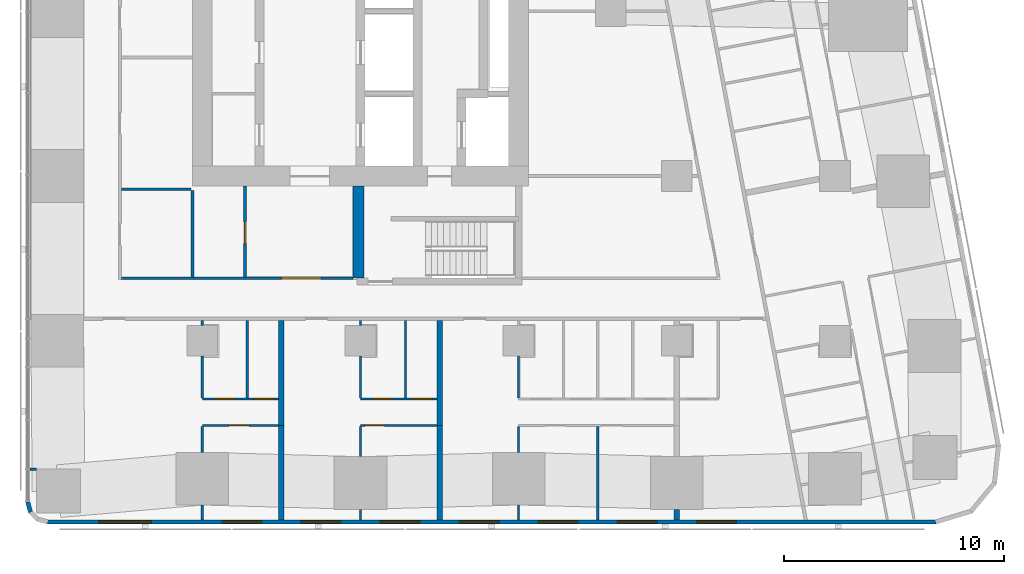
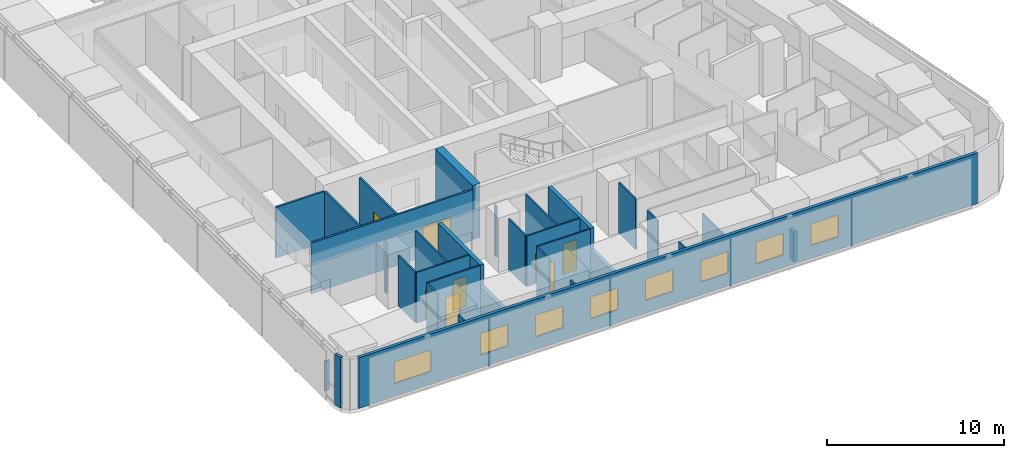
# One storey, part 7 of 17: 31 walls, 8 doors, 8 windows, 16 openings.
"""IFC4 building model written with IfcOpenShell, lengths in metres."""

import ifcopenshell
import ifcopenshell.guid

model = None  # the IFC model being written
_history = None  # IfcOwnerHistory: only IFC2X3 demands one
_inside = {}  # id of a spatial element -> (the spatial element, [elements in it])
_under = {}  # id of a project, library or spatial element -> (it, [spatial elements below it])
_declared = {}  # id of a project -> (the project, [libraries it declares])
_typed = {}  # id of a type object -> (the type object, [elements of that type])
_made_of = {}  # id of a material, layer set ... -> (it, [elements and type objects made of it])


def new_model(schema):
    """Start an empty IFC model of exactly this schema.

    Asked for "IFC4X3", IfcOpenShell would pick the latest addendum, in which some entities
    have other attributes; the version numbers below select the first issue.
    IFC2X3 requires an IfcOwnerHistory on every rooted entity: one is made here for all.
    """
    global model, _history
    if schema == "IFC4X3":
        model = ifcopenshell.file(schema_version=(4, 3, 0, 0))
    else:
        model = ifcopenshell.file(schema=schema)
    _inside.clear()
    _under.clear()
    _declared.clear()
    _typed.clear()
    _made_of.clear()
    _history = None
    if model.schema == "IFC2X3":
        org = make("IfcOrganization", Name="unknown")
        user = make(
            "IfcPersonAndOrganization",
            ThePerson=make("IfcPerson", FamilyName="unknown"),
            TheOrganization=org,
        )
        app = make(
            "IfcApplication",
            ApplicationDeveloper=org,
            Version="unknown",
            ApplicationFullName="unknown",
            ApplicationIdentifier="unknown",
        )
        _history = make(
            "IfcOwnerHistory",
            OwningUser=user,
            OwningApplication=app,
            ChangeAction="ADDED",
            CreationDate=0,
        )
    return model


def make(cls, **values):
    """One entity of the class cls with the attributes given. An attribute that is None is left unset."""
    return model.create_entity(
        cls, **{name: value for name, value in values.items() if value is not None}
    )


def rooted(cls, **values):
    """An entity with a GlobalId (a new one), such as an element, a storey or a relation."""
    return make(cls, GlobalId=ifcopenshell.guid.new(), OwnerHistory=_history, **values)


def si_unit(unit_type, name, prefix=None):
    """IfcSIUnit, for example si_unit("LENGTHUNIT", "METRE", prefix="MILLI")."""
    return make("IfcSIUnit", UnitType=unit_type, Prefix=prefix, Name=name)


def assignment(units):
    """IfcUnitAssignment: the units of a project."""
    return None if units is None else make("IfcUnitAssignment", Units=units)


def point(xyz):
    """IfcCartesianPoint."""
    return None if xyz is None else make("IfcCartesianPoint", Coordinates=xyz)


def direction(xyz):
    """IfcDirection."""
    return None if xyz is None else make("IfcDirection", DirectionRatios=xyz)


def frame(location, z_axis=None, x_axis=None):
    """IfcAxis2Placement3D, a coordinate frame: its origin and axes. An axis left out is left unset."""
    return make(
        "IfcAxis2Placement3D",
        Location=point(location),
        Axis=direction(z_axis),
        RefDirection=direction(x_axis),
    )


def frame_2d(location, x_axis=None):
    """IfcAxis2Placement2D, a coordinate frame in the plane: its origin and x axis."""
    return make(
        "IfcAxis2Placement2D", Location=point(location), RefDirection=direction(x_axis)
    )


def origin():
    """The frame at (0, 0, 0) with its axes left unset."""
    return frame((0.0, 0.0, 0.0))


def place(relative_to, where):
    """IfcLocalPlacement: puts the frame where relative to a parent placement (None: the world)."""
    return make(
        "IfcLocalPlacement", PlacementRelTo=relative_to, RelativePlacement=where
    )


def context(
    kind, dimensions, precision=None, world=None, true_north=None, identifier=None
):
    """IfcGeometricRepresentationContext, for example the 3D "Model" context."""
    return make(
        "IfcGeometricRepresentationContext",
        ContextIdentifier=identifier,
        ContextType=kind,
        CoordinateSpaceDimension=dimensions,
        Precision=precision,
        WorldCoordinateSystem=world,
        TrueNorth=true_north,
    )


def subcontext(parent, identifier, kind, view, scale=None):
    """IfcGeometricRepresentationSubContext, for example "Body" below "Model"."""
    return make(
        "IfcGeometricRepresentationSubContext",
        ContextIdentifier=identifier,
        ContextType=kind,
        ParentContext=parent,
        TargetScale=scale,
        TargetView=view,
    )


def project(units=None, contexts=None):
    """IfcProject with its units and contexts."""
    return rooted(
        "IfcProject",
        Name="project",
        RepresentationContexts=contexts,
        UnitsInContext=assignment(units),
    )


def spatial(cls, under=None, at=None, **own):
    """A site, building, storey or space (cls), placed at a placement, below another one or the project."""
    s = rooted(cls, ObjectPlacement=at, **own)
    if under is not None:
        _under.setdefault(under.id(), (under, []))[1].append(s)
    return s


def profile(cls, at=None, kind="AREA", **sizes):
    """A parametric profile (cls). Its sizes go by their IFC names, for example OverallWidth=200.0."""
    return make(cls, ProfileType=kind, Position=at, **sizes)


def rectangle(**sizes):
    """IfcRectangleProfileDef."""
    return profile("IfcRectangleProfileDef", **sizes)


def extrude(swept, where, along, depth):
    """IfcExtrudedAreaSolid: the profile swept, set in the frame where, extruded along a direction by depth."""
    return make(
        "IfcExtrudedAreaSolid",
        SweptArea=swept,
        Position=where,
        ExtrudedDirection=direction(along),
        Depth=depth,
    )


def shape(context_of_items, identifier, shape_type, items):
    """IfcShapeRepresentation: the items that make up one representation, for example the "Body"."""
    return make(
        "IfcShapeRepresentation",
        ContextOfItems=context_of_items,
        RepresentationIdentifier=identifier,
        RepresentationType=shape_type,
        Items=items,
    )


def material(Name=None, Category=None):
    """IfcMaterial."""
    return make("IfcMaterial", Name=Name, Category=Category)


def layer(
    of_material, thickness, ventilated=None, Name=None, Category=None, Priority=None
):
    """IfcMaterialLayer: one layer of a wall or slab, of a material (None: an air gap)."""
    return make(
        "IfcMaterialLayer",
        Material=of_material,
        LayerThickness=thickness,
        IsVentilated=ventilated,
        Name=Name,
        Category=Category,
        Priority=Priority,
    )


def layer_set(layers, Name=None):
    """IfcMaterialLayerSet."""
    return make("IfcMaterialLayerSet", MaterialLayers=layers, LayerSetName=Name)


def made_of(thing, what):
    """Note that an element or type object is made of a material, layer set ...; save() writes the relation."""
    if what is not None:
        _made_of.setdefault(what.id(), (what, []))[1].append(thing)
    return thing


def type_object(cls, material=None, **own):
    """A type object (cls), such as IfcWallType, which elements share."""
    return made_of(rooted(cls, **own), material)


def element(
    cls,
    number,
    at=None,
    inside=None,
    cuts=None,
    type_object=None,
    material=None,
    context=None,
    identifier="Body",
    shape_type=None,
    held_by="IfcProductDefinitionShape",
    body=None,
    shapes=None,
    **own,
):
    """One element of the class cls, such as IfcWall. Its Tag is "e" and its number.

    at: its placement. inside: the storey or other place that contains it. cuts: it is an
    opening in that element (IfcRelVoidsElement). A single representation is given by context,
    identifier, shape_type and body (its items); several are given by shapes. held_by: the class
    of the entity that holds the representations. save() writes the other relations.
    """
    e = rooted(cls, Tag="e%d" % number, ObjectPlacement=at, **own)
    if body is not None:
        shapes = [shape(context, identifier, shape_type, body)]
    if shapes is not None:
        e.Representation = make(held_by, Representations=shapes)
    if inside is not None:
        _inside.setdefault(inside.id(), (inside, []))[1].append(e)
    if cuts is not None:
        rooted(
            "IfcRelVoidsElement", RelatingBuildingElement=cuts, RelatedOpeningElement=e
        )
    if type_object is not None:
        _typed.setdefault(type_object.id(), (type_object, []))[1].append(e)
    return made_of(e, material)


def fill(opening, filler):
    """IfcRelFillsElement: the door or window that sits in an opening."""
    return rooted(
        "IfcRelFillsElement",
        RelatingOpeningElement=opening,
        RelatedBuildingElement=filler,
    )


def aggregate(whole, parts):
    """IfcRelAggregates: a whole, such as a stair, and the parts it consists of."""
    return rooted("IfcRelAggregates", RelatingObject=whole, RelatedObjects=parts)


def save(model, path):
    """Write the relations noted so far, then the file.

    IfcRelAggregates (storeys below a building ...), IfcRelContainedInSpatialStructure (elements
    in a storey), IfcRelDefinesByType, IfcRelAssociatesMaterial and IfcRelDeclares: one each for
    every whole, place, type object, material and project.
    """
    for whole, parts in _under.values():
        aggregate(whole, parts)
    for where, things in _inside.values():
        rooted(
            "IfcRelContainedInSpatialStructure",
            RelatedElements=things,
            RelatingStructure=where,
        )
    for kind, things in _typed.values():
        rooted("IfcRelDefinesByType", RelatedObjects=things, RelatingType=kind)
    for what, things in _made_of.values():
        rooted("IfcRelAssociatesMaterial", RelatedObjects=things, RelatingMaterial=what)
    for by, libraries in _declared.values():
        rooted("IfcRelDeclares", RelatingContext=by, RelatedDefinitions=libraries)
    model.write(path)


model = new_model("IFC4")

# Units and contexts
model_context = context("Model", 3, precision=1e-05, world=origin(), true_north=direction((0.0, 1.0)))
body_context = subcontext(model_context, "Body", "Model", "MODEL_VIEW")
ifc_project = project(units=[si_unit("LENGTHUNIT", "METRE"), si_unit("AREAUNIT", "SQUARE_METRE"), si_unit("VOLUMEUNIT", "CUBIC_METRE"), si_unit("PLANEANGLEUNIT", "RADIAN"), si_unit("MASSUNIT", "GRAM", prefix="KILO")], contexts=[model_context])

# Site, building, storey
site_placement = place(None, origin())
site = spatial("IfcSite", under=ifc_project, at=site_placement, CompositionType="ELEMENT")
building_placement = place(site_placement, origin())
building = spatial("IfcBuilding", under=site, at=building_placement, Name="Sheger Commons Tower", CompositionType="ELEMENT")
storey_placement = place(building_placement, frame((0.0, 0.0, 204.949951171875)))
storey = spatial("IfcBuildingStorey", under=building, at=storey_placement, Name="L52", CompositionType="ELEMENT", Elevation=204.949951171875)

# Walls
ifc_material_1 = material(Name="Dense concrete block masonry, plastered both sides (separating wall between flats)", Category="masonry")
ifc_layer_1 = layer(ifc_material_1, 0.25)
ifc_layer_set_1 = layer_set([ifc_layer_1], Name="DEMISING WALL 250")
wall_type_1 = type_object("IfcWallType", Name="DEMISING WALL 250", PredefinedType="SOLIDWALL", material=ifc_layer_set_1)
wall_1_placement = place(storey_placement, frame((18.0, -0.64990234375, 0.0), z_axis=(0.0, 0.0, 1.0), x_axis=(0.0, 1.0, 0.0)))
element("IfcWall", 1, at=wall_1_placement, inside=storey, type_object=wall_type_1, Name="Demising wall L52", PredefinedType="SOLIDWALL", context=body_context, shape_type="SweptSolid", body=[
    extrude(rectangle(XDim=4.2998046875, YDim=0.25, at=frame_2d((2.14990234375, 0.0))), origin(), (0.0, 0.0, 1.0), 2.050048828125),
])
wall_2_placement = place(storey_placement, frame((18.0, 3.64990234375, 0.0), z_axis=(0.0, 0.0, 1.0), x_axis=(0.0, 1.0, 0.0)))
element("IfcWall", 2, at=wall_2_placement, inside=storey, type_object=wall_type_1, Name="Demising wall L52", PredefinedType="SOLIDWALL", context=body_context, shape_type="SweptSolid", body=[
    extrude(rectangle(XDim=4.775146484375, YDim=0.25, at=frame_2d((2.3876953125, 0.0))), origin(), (0.0, 0.0, 1.0), 3.5),
])
wall_3_placement = place(storey_placement, frame((25.199951171875, -0.64990234375, 0.0), z_axis=(0.0, 0.0, 1.0), x_axis=(0.0, 1.0, 0.0)))
element("IfcWall", 3, at=wall_3_placement, inside=storey, type_object=wall_type_1, Name="Demising wall L52", PredefinedType="SOLIDWALL", context=body_context, shape_type="SweptSolid", body=[
    extrude(rectangle(XDim=4.2998046875, YDim=0.25, at=frame_2d((2.14990234375, 0.0))), origin(), (0.0, 0.0, 1.0), 2.050048828125),
])
wall_4_placement = place(storey_placement, frame((25.199951171875, 3.64990234375, 0.0), z_axis=(0.0, 0.0, 1.0), x_axis=(0.0, 1.0, 0.0)))
element("IfcWall", 4, at=wall_4_placement, inside=storey, type_object=wall_type_1, Name="Demising wall L52", PredefinedType="SOLIDWALL", context=body_context, shape_type="SweptSolid", body=[
    extrude(rectangle(XDim=4.775146484375, YDim=0.25, at=frame_2d((2.3876953125, 0.0))), origin(), (0.0, 0.0, 1.0), 3.5),
])
wall_5_placement = place(storey_placement, frame((36.0, -0.64990234375, 0.0), z_axis=(0.0, 0.0, 1.0), x_axis=(0.0, 1.0, 0.0)))
element("IfcWall", 5, at=wall_5_placement, inside=storey, type_object=wall_type_1, Name="Demising wall L52", PredefinedType="SOLIDWALL", context=body_context, shape_type="SweptSolid", body=[
    extrude(rectangle(XDim=0.473876953125, YDim=0.25, at=frame_2d((0.23681640625, 0.0))), origin(), (0.0, 0.0, 1.0), 2.050048828125),
])

# Wall, openings, windows
ifc_material_2 = material(Name="Rendered concrete block masonry, dark grey", Category="masonry")
ifc_layer_2 = layer(ifc_material_2, 0.199951171875)
ifc_layer_set_2 = layer_set([ifc_layer_2], Name="FACADE WALL 200")
wall_type_2 = type_object("IfcWallType", Name="FACADE WALL 200", PredefinedType="SOLIDWALL", material=ifc_layer_set_2)
wall_6_placement = place(storey_placement, frame((7.363037109375, -0.75, 0.0), z_axis=(0.0, 0.0, 1.0), x_axis=(1.0, 0.0, 0.0)))
wall_6 = element("IfcWall", 6, at=wall_6_placement, inside=storey, type_object=wall_type_2, Name="Facade wall L52", PredefinedType="SOLIDWALL", context=body_context, shape_type="SweptSolid", body=[
    extrude(rectangle(XDim=40.427978515625, YDim=0.199951171875, at=frame_2d((20.2138671875, 0.0))), origin(), (0.0, 0.0, 1.0), 3.5),
])
opening_1_placement = place(wall_6_placement, frame((2.319091796875, 0.0, 0.89990234375)))
opening_1 = element("IfcOpeningElement", 7, at=opening_1_placement, cuts=wall_6, Name="Opening W1", PredefinedType="OPENING", context=body_context, shape_type="SweptSolid", body=[
    extrude(rectangle(XDim=2.39990234375, YDim=1.5, at=frame_2d((1.199951171875, 0.75))), frame((0.0, 0.10986328125, 0.0), z_axis=(0.0, -1.0, 0.0), x_axis=(1.0, 0.0, 0.0)), (0.0, 0.0, 1.0), 0.219970703125),
])
opening_2_placement = place(wall_6_placement, frame((7.93701171875, 0.0, 0.89990234375)))
opening_2 = element("IfcOpeningElement", 8, at=opening_2_placement, cuts=wall_6, Name="Opening W2", PredefinedType="OPENING", context=body_context, shape_type="SweptSolid", body=[
    extrude(rectangle(XDim=1.800048828125, YDim=1.5, at=frame_2d((0.89990234375, 0.75))), frame((0.0, 0.10986328125, 0.0), z_axis=(0.0, -1.0, 0.0), x_axis=(1.0, 0.0, 0.0)), (0.0, 0.0, 1.0), 0.219970703125),
])
opening_3_placement = place(wall_6_placement, frame((11.537109375, 0.0, 0.89990234375)))
opening_3 = element("IfcOpeningElement", 9, at=opening_3_placement, cuts=wall_6, Name="Opening W2", PredefinedType="OPENING", context=body_context, shape_type="SweptSolid", body=[
    extrude(rectangle(XDim=1.800048828125, YDim=1.5, at=frame_2d((0.89990234375, 0.75))), frame((0.0, 0.10986328125, 0.0), z_axis=(0.0, -1.0, 0.0), x_axis=(1.0, 0.0, 0.0)), (0.0, 0.0, 1.0), 0.219970703125),
])
opening_4_placement = place(wall_6_placement, frame((15.136962890625, 0.0, 0.89990234375)))
opening_4 = element("IfcOpeningElement", 10, at=opening_4_placement, cuts=wall_6, Name="Opening W2", PredefinedType="OPENING", context=body_context, shape_type="SweptSolid", body=[
    extrude(rectangle(XDim=1.800048828125, YDim=1.5, at=frame_2d((0.89990234375, 0.75))), frame((0.0, 0.10986328125, 0.0), z_axis=(0.0, -1.0, 0.0), x_axis=(1.0, 0.0, 0.0)), (0.0, 0.0, 1.0), 0.219970703125),
])
opening_5_placement = place(wall_6_placement, frame((18.737060546875, 0.0, 0.89990234375)))
opening_5 = element("IfcOpeningElement", 11, at=opening_5_placement, cuts=wall_6, Name="Opening W2", PredefinedType="OPENING", context=body_context, shape_type="SweptSolid", body=[
    extrude(rectangle(XDim=1.800048828125, YDim=1.5, at=frame_2d((0.89990234375, 0.75))), frame((0.0, 0.10986328125, 0.0), z_axis=(0.0, -1.0, 0.0), x_axis=(1.0, 0.0, 0.0)), (0.0, 0.0, 1.0), 0.219970703125),
])
opening_6_placement = place(wall_6_placement, frame((22.3369140625, 0.0, 0.89990234375)))
opening_6 = element("IfcOpeningElement", 12, at=opening_6_placement, cuts=wall_6, Name="Opening W2", PredefinedType="OPENING", context=body_context, shape_type="SweptSolid", body=[
    extrude(rectangle(XDim=1.800048828125, YDim=1.5, at=frame_2d((0.89990234375, 0.75))), frame((0.0, 0.10986328125, 0.0), z_axis=(0.0, -1.0, 0.0), x_axis=(1.0, 0.0, 0.0)), (0.0, 0.0, 1.0), 0.219970703125),
])
opening_7_placement = place(wall_6_placement, frame((25.93701171875, 0.0, 0.89990234375)))
opening_7 = element("IfcOpeningElement", 13, at=opening_7_placement, cuts=wall_6, Name="Opening W2", PredefinedType="OPENING", context=body_context, shape_type="SweptSolid", body=[
    extrude(rectangle(XDim=1.800048828125, YDim=1.5, at=frame_2d((0.89990234375, 0.75))), frame((0.0, 0.10986328125, 0.0), z_axis=(0.0, -1.0, 0.0), x_axis=(1.0, 0.0, 0.0)), (0.0, 0.0, 1.0), 0.219970703125),
])
opening_8_placement = place(wall_6_placement, frame((29.537109375, 0.0, 0.89990234375)))
opening_8 = element("IfcOpeningElement", 14, at=opening_8_placement, cuts=wall_6, Name="Opening W2", PredefinedType="OPENING", context=body_context, shape_type="SweptSolid", body=[
    extrude(rectangle(XDim=1.800048828125, YDim=1.5, at=frame_2d((0.89990234375, 0.75))), frame((0.0, 0.10986328125, 0.0), z_axis=(0.0, -1.0, 0.0), x_axis=(1.0, 0.0, 0.0)), (0.0, 0.0, 1.0), 0.219970703125),
])
ifc_material_3 = material(Name="Black aluminium frame, dark tinted double glazing", Category="aluminium")
window_type_1 = type_object("IfcWindowType", Name="WINDOW W1 2400x1500", PartitioningType="SINGLE_PANEL", PredefinedType="WINDOW", material=ifc_material_3)
window_1_placement = place(opening_1_placement, origin())
window_1 = element("IfcWindow", 15, at=window_1_placement, inside=storey, type_object=window_type_1, Name="Window W1 2400X1500", OverallHeight=1.5, OverallWidth=2.39990234375, PartitioningType="SINGLE_PANEL", PredefinedType="WINDOW", context=body_context, shape_type="SweptSolid", body=[
    extrude(rectangle(XDim=2.39990234375, YDim=1.5, at=frame_2d((1.199951171875, 0.75))), frame((0.0, 0.030029296875, 0.0), z_axis=(0.0, -1.0, 0.0), x_axis=(1.0, 0.0, 0.0)), (0.0, 0.0, 1.0), 0.06005859375),
])
fill(opening_1, window_1)
ifc_material_4 = material(Name="Black aluminium frame, dark tinted double glazing", Category="aluminium")
window_type_2 = type_object("IfcWindowType", Name="WINDOW W2 1800x1500", PartitioningType="SINGLE_PANEL", PredefinedType="WINDOW", material=ifc_material_4)
window_2_placement = place(opening_2_placement, origin())
window_2 = element("IfcWindow", 16, at=window_2_placement, inside=storey, type_object=window_type_2, Name="Window W2 1800X1500", OverallHeight=1.5, OverallWidth=1.800048828125, PartitioningType="SINGLE_PANEL", PredefinedType="WINDOW", context=body_context, shape_type="SweptSolid", body=[
    extrude(rectangle(XDim=1.800048828125, YDim=1.5, at=frame_2d((0.89990234375, 0.75))), frame((0.0, 0.030029296875, 0.0), z_axis=(0.0, -1.0, 0.0), x_axis=(1.0, 0.0, 0.0)), (0.0, 0.0, 1.0), 0.06005859375),
])
fill(opening_2, window_2)
window_3_placement = place(opening_3_placement, origin())
window_3 = element("IfcWindow", 17, at=window_3_placement, inside=storey, type_object=window_type_2, Name="Window W2 1800X1500", OverallHeight=1.5, OverallWidth=1.800048828125, PartitioningType="SINGLE_PANEL", PredefinedType="WINDOW", context=body_context, shape_type="SweptSolid", body=[
    extrude(rectangle(XDim=1.800048828125, YDim=1.5, at=frame_2d((0.89990234375, 0.75))), frame((0.0, 0.030029296875, 0.0), z_axis=(0.0, -1.0, 0.0), x_axis=(1.0, 0.0, 0.0)), (0.0, 0.0, 1.0), 0.06005859375),
])
fill(opening_3, window_3)
window_4_placement = place(opening_4_placement, origin())
window_4 = element("IfcWindow", 18, at=window_4_placement, inside=storey, type_object=window_type_2, Name="Window W2 1800X1500", OverallHeight=1.5, OverallWidth=1.800048828125, PartitioningType="SINGLE_PANEL", PredefinedType="WINDOW", context=body_context, shape_type="SweptSolid", body=[
    extrude(rectangle(XDim=1.800048828125, YDim=1.5, at=frame_2d((0.89990234375, 0.75))), frame((0.0, 0.030029296875, 0.0), z_axis=(0.0, -1.0, 0.0), x_axis=(1.0, 0.0, 0.0)), (0.0, 0.0, 1.0), 0.06005859375),
])
fill(opening_4, window_4)
window_5_placement = place(opening_5_placement, origin())
window_5 = element("IfcWindow", 19, at=window_5_placement, inside=storey, type_object=window_type_2, Name="Window W2 1800X1500", OverallHeight=1.5, OverallWidth=1.800048828125, PartitioningType="SINGLE_PANEL", PredefinedType="WINDOW", context=body_context, shape_type="SweptSolid", body=[
    extrude(rectangle(XDim=1.800048828125, YDim=1.5, at=frame_2d((0.89990234375, 0.75))), frame((0.0, 0.030029296875, 0.0), z_axis=(0.0, -1.0, 0.0), x_axis=(1.0, 0.0, 0.0)), (0.0, 0.0, 1.0), 0.06005859375),
])
fill(opening_5, window_5)
window_6_placement = place(opening_6_placement, origin())
window_6 = element("IfcWindow", 20, at=window_6_placement, inside=storey, type_object=window_type_2, Name="Window W2 1800X1500", OverallHeight=1.5, OverallWidth=1.800048828125, PartitioningType="SINGLE_PANEL", PredefinedType="WINDOW", context=body_context, shape_type="SweptSolid", body=[
    extrude(rectangle(XDim=1.800048828125, YDim=1.5, at=frame_2d((0.89990234375, 0.75))), frame((0.0, 0.030029296875, 0.0), z_axis=(0.0, -1.0, 0.0), x_axis=(1.0, 0.0, 0.0)), (0.0, 0.0, 1.0), 0.06005859375),
])
fill(opening_6, window_6)
window_7_placement = place(opening_7_placement, origin())
window_7 = element("IfcWindow", 21, at=window_7_placement, inside=storey, type_object=window_type_2, Name="Window W2 1800X1500", OverallHeight=1.5, OverallWidth=1.800048828125, PartitioningType="SINGLE_PANEL", PredefinedType="WINDOW", context=body_context, shape_type="SweptSolid", body=[
    extrude(rectangle(XDim=1.800048828125, YDim=1.5, at=frame_2d((0.89990234375, 0.75))), frame((0.0, 0.030029296875, 0.0), z_axis=(0.0, -1.0, 0.0), x_axis=(1.0, 0.0, 0.0)), (0.0, 0.0, 1.0), 0.06005859375),
])
fill(opening_7, window_7)
window_8_placement = place(opening_8_placement, origin())
window_8 = element("IfcWindow", 22, at=window_8_placement, inside=storey, type_object=window_type_2, Name="Window W2 1800X1500", OverallHeight=1.5, OverallWidth=1.800048828125, PartitioningType="SINGLE_PANEL", PredefinedType="WINDOW", context=body_context, shape_type="SweptSolid", body=[
    extrude(rectangle(XDim=1.800048828125, YDim=1.5, at=frame_2d((0.89990234375, 0.75))), frame((0.0, 0.030029296875, 0.0), z_axis=(0.0, -1.0, 0.0), x_axis=(1.0, 0.0, 0.0)), (0.0, 0.0, 1.0), 0.06005859375),
])
fill(opening_8, window_8)

# Walls
wall_7_placement = place(storey_placement, frame((6.449951171875, 0.1630859375, 0.0), z_axis=(0.0, 0.0, 1.0), x_axis=(0.259698463175, -0.965689757751, 0.0)))
element("IfcWall", 23, at=wall_7_placement, inside=storey, type_object=wall_type_2, Name="Facade wall L52", PredefinedType="SOLIDWALL", context=body_context, shape_type="SweptSolid", body=[
    extrude(rectangle(XDim=0.4775390625, YDim=0.199951171875, at=frame_2d((0.23876953125, 0.0))), origin(), (0.0, 0.0, 1.0), 3.5),
])
ifc_material_5 = material(Name="Gypsum board on steel studs", Category="steel")
ifc_layer_3 = layer(ifc_material_5, 0.10009765625)
ifc_layer_set_3 = layer_set([ifc_layer_3], Name="PARTITION 100")
wall_type_3 = type_object("IfcWallType", Name="PARTITION 100", PredefinedType="PARTITIONING", material=ifc_layer_set_3)
wall_8_placement = place(storey_placement, frame((6.550048828125, 1.654052734375, 0.0), z_axis=(0.0, 0.0, 1.0), x_axis=(1.0, 0.0, 0.0)))
element("IfcWall", 24, at=wall_8_placement, inside=storey, type_object=wall_type_3, Name="Partition L52", PredefinedType="PARTITIONING", context=body_context, shape_type="SweptSolid", body=[
    extrude(rectangle(XDim=0.303955078125, YDim=0.10009765625, at=frame_2d((0.15185546875, 0.0))), origin(), (0.0, 0.0, 1.0), 2.050048828125),
])

# Wall, opening, door
wall_9_placement = place(storey_placement, frame((17.875, 3.64990234375, 0.0), z_axis=(0.0, 0.0, 1.0), x_axis=(-1.0, 0.0, 0.0)))
wall_9 = element("IfcWall", 25, at=wall_9_placement, inside=storey, type_object=wall_type_3, Name="Partition L52", PredefinedType="PARTITIONING", context=body_context, shape_type="SweptSolid", body=[
    extrude(rectangle(XDim=3.47509765625, YDim=0.10009765625, at=frame_2d((1.737548828125, 0.0))), origin(), (0.0, 0.0, 1.0), 3.5),
])
opening_9_placement = place(wall_9_placement, frame((1.35009765625, 0.0, 0.0)))
opening_9 = element("IfcOpeningElement", 26, at=opening_9_placement, cuts=wall_9, Name="Opening D2", PredefinedType="OPENING", context=body_context, shape_type="SweptSolid", body=[
    extrude(rectangle(XDim=0.89990234375, YDim=2.10009765625, at=frame_2d((0.449951171875, 1.050048828125))), frame((0.0, 0.06005859375, 0.0), z_axis=(0.0, -1.0, 0.0), x_axis=(1.0, 0.0, 0.0)), (0.0, 0.0, 1.0), 0.1201171875),
])
ifc_material_6 = material(Name="Timber door set", Category="wood")
door_type_1 = type_object("IfcDoorType", Name="INTERNAL DOOR 900x2100", OperationType="NOTDEFINED", PredefinedType="DOOR", material=ifc_material_6)
door_1_placement = place(opening_9_placement, origin())
door_1 = element("IfcDoor", 27, at=door_1_placement, inside=storey, type_object=door_type_1, Name="Main bedroom door", OperationType="SINGLE_SWING_RIGHT", OverallHeight=2.10009765625, OverallWidth=0.89990234375, PredefinedType="DOOR", context=body_context, shape_type="SweptSolid", body=[
    extrude(rectangle(XDim=0.89990234375, YDim=2.10009765625, at=frame_2d((0.449951171875, 1.050048828125))), frame((0.0, 0.02490234375, 0.0), z_axis=(0.0, -1.0, 0.0), x_axis=(1.0, 0.0, 0.0)), (0.0, 0.0, 1.0), 0.050048828125),
])
fill(opening_9, door_1)

# Wall, openings, doors
wall_10_placement = place(storey_placement, frame((17.875, 4.85009765625, 0.0), z_axis=(0.0, 0.0, 1.0), x_axis=(-1.0, 0.0, 0.0)))
wall_10 = element("IfcWall", 28, at=wall_10_placement, inside=storey, type_object=wall_type_3, Name="Partition L52", PredefinedType="PARTITIONING", context=body_context, shape_type="SweptSolid", body=[
    extrude(rectangle(XDim=3.47509765625, YDim=0.10009765625, at=frame_2d((1.737548828125, 0.0))), origin(), (0.0, 0.0, 1.0), 3.5),
])
opening_10_placement = place(wall_10_placement, frame((2.0, 0.0, 0.0)))
opening_10 = element("IfcOpeningElement", 29, at=opening_10_placement, cuts=wall_10, Name="Opening D2", PredefinedType="OPENING", context=body_context, shape_type="SweptSolid", body=[
    extrude(rectangle(XDim=0.89990234375, YDim=2.10009765625, at=frame_2d((0.449951171875, 1.050048828125))), frame((0.0, 0.06005859375, 0.0), z_axis=(0.0, -1.0, 0.0), x_axis=(1.0, 0.0, 0.0)), (0.0, 0.0, 1.0), 0.1201171875),
])
opening_11_placement = place(wall_10_placement, frame((0.199951171875, 0.0, 0.0)))
opening_11 = element("IfcOpeningElement", 30, at=opening_11_placement, cuts=wall_10, Name="Opening D2", PredefinedType="OPENING", context=body_context, shape_type="SweptSolid", body=[
    extrude(rectangle(XDim=0.89990234375, YDim=2.10009765625, at=frame_2d((0.449951171875, 1.050048828125))), frame((0.0, 0.06005859375, 0.0), z_axis=(0.0, -1.0, 0.0), x_axis=(1.0, 0.0, 0.0)), (0.0, 0.0, 1.0), 0.1201171875),
])
door_2_placement = place(opening_10_placement, origin())
door_2 = element("IfcDoor", 31, at=door_2_placement, inside=storey, type_object=door_type_1, Name="Bathroom door", OperationType="SINGLE_SWING_LEFT", OverallHeight=2.10009765625, OverallWidth=0.89990234375, PredefinedType="DOOR", context=body_context, shape_type="SweptSolid", body=[
    extrude(rectangle(XDim=0.89990234375, YDim=2.10009765625, at=frame_2d((0.449951171875, 1.050048828125))), frame((0.0, 0.02490234375, 0.0), z_axis=(0.0, -1.0, 0.0), x_axis=(1.0, 0.0, 0.0)), (0.0, 0.0, 1.0), 0.050048828125),
])
fill(opening_10, door_2)
door_3_placement = place(opening_11_placement, origin())
door_3 = element("IfcDoor", 32, at=door_3_placement, inside=storey, type_object=door_type_1, Name="Store door", OperationType="SINGLE_SWING_RIGHT", OverallHeight=2.10009765625, OverallWidth=0.89990234375, PredefinedType="DOOR", context=body_context, shape_type="SweptSolid", body=[
    extrude(rectangle(XDim=0.89990234375, YDim=2.10009765625, at=frame_2d((0.449951171875, 1.050048828125))), frame((0.0, 0.02490234375, 0.0), z_axis=(0.0, -1.0, 0.0), x_axis=(1.0, 0.0, 0.0)), (0.0, 0.0, 1.0), 0.050048828125),
])
fill(opening_11, door_3)

# Walls
wall_11_placement = place(storey_placement, frame((14.39990234375, -0.64990234375, 0.0), z_axis=(0.0, 0.0, 1.0), x_axis=(0.0, 1.0, 0.0)))
element("IfcWall", 33, at=wall_11_placement, inside=storey, type_object=wall_type_3, Name="Partition L52", PredefinedType="PARTITIONING", context=body_context, shape_type="SweptSolid", body=[
    extrude(rectangle(XDim=0.673828125, YDim=0.10009765625, at=frame_2d((0.3369140625, 0.0))), origin(), (0.0, 0.0, 1.0), 3.5),
])
wall_12_placement = place(storey_placement, frame((14.39990234375, 2.426025390625, 0.0), z_axis=(0.0, 0.0, 1.0), x_axis=(0.0, 1.0, 0.0)))
element("IfcWall", 34, at=wall_12_placement, inside=storey, type_object=wall_type_3, Name="Partition L52", PredefinedType="PARTITIONING", context=body_context, shape_type="SweptSolid", body=[
    extrude(rectangle(XDim=1.174072265625, YDim=0.10009765625, at=frame_2d((0.5869140625, 0.0))), origin(), (0.0, 0.0, 1.0), 3.5),
])
wall_13_placement = place(storey_placement, frame((14.39990234375, 4.89990234375, 0.0), z_axis=(0.0, 0.0, 1.0), x_axis=(0.0, 1.0, 0.0)))
element("IfcWall", 35, at=wall_13_placement, inside=storey, type_object=wall_type_3, Name="Partition L52", PredefinedType="PARTITIONING", context=body_context, shape_type="SweptSolid", body=[
    extrude(rectangle(XDim=1.899169921875, YDim=0.10009765625, at=frame_2d((0.94970703125, 0.0))), origin(), (0.0, 0.0, 1.0), 3.5),
])
wall_14_placement = place(storey_placement, frame((14.39990234375, 8.200927734375, 0.0), z_axis=(0.0, 0.0, 1.0), x_axis=(0.0, 1.0, 0.0)))
element("IfcWall", 36, at=wall_14_placement, inside=storey, type_object=wall_type_3, Name="Partition L52", PredefinedType="PARTITIONING", context=body_context, shape_type="SweptSolid", body=[
    extrude(rectangle(XDim=0.22412109375, YDim=0.10009765625, at=frame_2d((0.112060546875, 0.0))), origin(), (0.0, 0.0, 1.0), 3.5),
])
wall_15_placement = place(storey_placement, frame((16.449951171875, 4.89990234375, 0.0), z_axis=(0.0, 0.0, 1.0), x_axis=(0.0, 1.0, 0.0)))
element("IfcWall", 37, at=wall_15_placement, inside=storey, type_object=wall_type_3, Name="Partition L52", PredefinedType="PARTITIONING", context=body_context, shape_type="SweptSolid", body=[
    extrude(rectangle(XDim=3.525146484375, YDim=0.10009765625, at=frame_2d((1.7626953125, 0.0))), origin(), (0.0, 0.0, 1.0), 3.5),
])

# Wall, opening, door
wall_16_placement = place(storey_placement, frame((25.074951171875, 3.64990234375, 0.0), z_axis=(0.0, 0.0, 1.0), x_axis=(-1.0, 0.0, 0.0)))
wall_16 = element("IfcWall", 38, at=wall_16_placement, inside=storey, type_object=wall_type_3, Name="Partition L52", PredefinedType="PARTITIONING", context=body_context, shape_type="SweptSolid", body=[
    extrude(rectangle(XDim=3.474853515625, YDim=0.10009765625, at=frame_2d((1.7373046875, 0.0))), origin(), (0.0, 0.0, 1.0), 3.5),
])
opening_12_placement = place(wall_16_placement, frame((2.375, 0.0, 0.0)))
opening_12 = element("IfcOpeningElement", 39, at=opening_12_placement, cuts=wall_16, Name="Opening D2", PredefinedType="OPENING", context=body_context, shape_type="SweptSolid", body=[
    extrude(rectangle(XDim=0.89990234375, YDim=2.10009765625, at=frame_2d((0.449951171875, 1.050048828125))), frame((0.0, 0.06005859375, 0.0), z_axis=(0.0, -1.0, 0.0), x_axis=(1.0, 0.0, 0.0)), (0.0, 0.0, 1.0), 0.1201171875),
])
door_4_placement = place(opening_12_placement, origin())
door_4 = element("IfcDoor", 40, at=door_4_placement, inside=storey, type_object=door_type_1, Name="Main bedroom door", OperationType="SINGLE_SWING_RIGHT", OverallHeight=2.10009765625, OverallWidth=0.89990234375, PredefinedType="DOOR", context=body_context, shape_type="SweptSolid", body=[
    extrude(rectangle(XDim=0.89990234375, YDim=2.10009765625, at=frame_2d((0.449951171875, 1.050048828125))), frame((0.0, 0.02490234375, 0.0), z_axis=(0.0, -1.0, 0.0), x_axis=(1.0, 0.0, 0.0)), (0.0, 0.0, 1.0), 0.050048828125),
])
fill(opening_12, door_4)

# Wall, openings, doors
wall_17_placement = place(storey_placement, frame((25.074951171875, 4.85009765625, 0.0), z_axis=(0.0, 0.0, 1.0), x_axis=(-1.0, 0.0, 0.0)))
wall_17 = element("IfcWall", 41, at=wall_17_placement, inside=storey, type_object=wall_type_3, Name="Partition L52", PredefinedType="PARTITIONING", context=body_context, shape_type="SweptSolid", body=[
    extrude(rectangle(XDim=3.474853515625, YDim=0.10009765625, at=frame_2d((1.7373046875, 0.0))), origin(), (0.0, 0.0, 1.0), 3.5),
])
opening_13_placement = place(wall_17_placement, frame((2.0, 0.0, 0.0)))
opening_13 = element("IfcOpeningElement", 42, at=opening_13_placement, cuts=wall_17, Name="Opening D2", PredefinedType="OPENING", context=body_context, shape_type="SweptSolid", body=[
    extrude(rectangle(XDim=0.89990234375, YDim=2.10009765625, at=frame_2d((0.449951171875, 1.050048828125))), frame((0.0, 0.06005859375, 0.0), z_axis=(0.0, -1.0, 0.0), x_axis=(1.0, 0.0, 0.0)), (0.0, 0.0, 1.0), 0.1201171875),
])
opening_14_placement = place(wall_17_placement, frame((0.199951171875, 0.0, 0.0)))
opening_14 = element("IfcOpeningElement", 43, at=opening_14_placement, cuts=wall_17, Name="Opening D2", PredefinedType="OPENING", context=body_context, shape_type="SweptSolid", body=[
    extrude(rectangle(XDim=0.89990234375, YDim=2.10009765625, at=frame_2d((0.449951171875, 1.050048828125))), frame((0.0, 0.06005859375, 0.0), z_axis=(0.0, -1.0, 0.0), x_axis=(1.0, 0.0, 0.0)), (0.0, 0.0, 1.0), 0.1201171875),
])
door_5_placement = place(opening_13_placement, origin())
door_5 = element("IfcDoor", 44, at=door_5_placement, inside=storey, type_object=door_type_1, Name="Bathroom door", OperationType="SINGLE_SWING_LEFT", OverallHeight=2.10009765625, OverallWidth=0.89990234375, PredefinedType="DOOR", context=body_context, shape_type="SweptSolid", body=[
    extrude(rectangle(XDim=0.89990234375, YDim=2.10009765625, at=frame_2d((0.449951171875, 1.050048828125))), frame((0.0, 0.02490234375, 0.0), z_axis=(0.0, -1.0, 0.0), x_axis=(1.0, 0.0, 0.0)), (0.0, 0.0, 1.0), 0.050048828125),
])
fill(opening_13, door_5)
door_6_placement = place(opening_14_placement, origin())
door_6 = element("IfcDoor", 45, at=door_6_placement, inside=storey, type_object=door_type_1, Name="Store door", OperationType="SINGLE_SWING_RIGHT", OverallHeight=2.10009765625, OverallWidth=0.89990234375, PredefinedType="DOOR", context=body_context, shape_type="SweptSolid", body=[
    extrude(rectangle(XDim=0.89990234375, YDim=2.10009765625, at=frame_2d((0.449951171875, 1.050048828125))), frame((0.0, 0.02490234375, 0.0), z_axis=(0.0, -1.0, 0.0), x_axis=(1.0, 0.0, 0.0)), (0.0, 0.0, 1.0), 0.050048828125),
])
fill(opening_14, door_6)

# Walls
wall_18_placement = place(storey_placement, frame((21.60009765625, -0.64990234375, 0.0), z_axis=(0.0, 0.0, 1.0), x_axis=(0.0, 1.0, 0.0)))
element("IfcWall", 46, at=wall_18_placement, inside=storey, type_object=wall_type_3, Name="Partition L52", PredefinedType="PARTITIONING", context=body_context, shape_type="SweptSolid", body=[
    extrude(rectangle(XDim=0.473876953125, YDim=0.10009765625, at=frame_2d((0.23681640625, 0.0))), origin(), (0.0, 0.0, 1.0), 3.5),
])
wall_19_placement = place(storey_placement, frame((21.60009765625, 2.22607421875, 0.0), z_axis=(0.0, 0.0, 1.0), x_axis=(0.0, 1.0, 0.0)))
element("IfcWall", 47, at=wall_19_placement, inside=storey, type_object=wall_type_3, Name="Partition L52", PredefinedType="PARTITIONING", context=body_context, shape_type="SweptSolid", body=[
    extrude(rectangle(XDim=1.3740234375, YDim=0.10009765625, at=frame_2d((0.68701171875, 0.0))), origin(), (0.0, 0.0, 1.0), 3.5),
])
wall_20_placement = place(storey_placement, frame((21.60009765625, 4.89990234375, 0.0), z_axis=(0.0, 0.0, 1.0), x_axis=(0.0, 1.0, 0.0)))
element("IfcWall", 48, at=wall_20_placement, inside=storey, type_object=wall_type_3, Name="Partition L52", PredefinedType="PARTITIONING", context=body_context, shape_type="SweptSolid", body=[
    extrude(rectangle(XDim=1.899169921875, YDim=0.10009765625, at=frame_2d((0.94970703125, 0.0))), origin(), (0.0, 0.0, 1.0), 3.5),
])
wall_21_placement = place(storey_placement, frame((21.60009765625, 8.200927734375, 0.0), z_axis=(0.0, 0.0, 1.0), x_axis=(0.0, 1.0, 0.0)))
element("IfcWall", 49, at=wall_21_placement, inside=storey, type_object=wall_type_3, Name="Partition L52", PredefinedType="PARTITIONING", context=body_context, shape_type="SweptSolid", body=[
    extrude(rectangle(XDim=0.22412109375, YDim=0.10009765625, at=frame_2d((0.112060546875, 0.0))), origin(), (0.0, 0.0, 1.0), 3.5),
])
wall_22_placement = place(storey_placement, frame((23.64990234375, 4.89990234375, 0.0), z_axis=(0.0, 0.0, 1.0), x_axis=(0.0, 1.0, 0.0)))
element("IfcWall", 50, at=wall_22_placement, inside=storey, type_object=wall_type_3, Name="Partition L52", PredefinedType="PARTITIONING", context=body_context, shape_type="SweptSolid", body=[
    extrude(rectangle(XDim=3.525146484375, YDim=0.10009765625, at=frame_2d((1.7626953125, 0.0))), origin(), (0.0, 0.0, 1.0), 3.5),
])
wall_23_placement = place(storey_placement, frame((28.800048828125, -0.64990234375, 0.0), z_axis=(0.0, 0.0, 1.0), x_axis=(0.0, 1.0, 0.0)))
element("IfcWall", 51, at=wall_23_placement, inside=storey, type_object=wall_type_3, Name="Partition L52", PredefinedType="PARTITIONING", context=body_context, shape_type="SweptSolid", body=[
    extrude(rectangle(XDim=0.673828125, YDim=0.10009765625, at=frame_2d((0.3369140625, 0.0))), origin(), (0.0, 0.0, 1.0), 3.5),
])
wall_24_placement = place(storey_placement, frame((28.800048828125, 2.426025390625, 0.0), z_axis=(0.0, 0.0, 1.0), x_axis=(0.0, 1.0, 0.0)))
element("IfcWall", 52, at=wall_24_placement, inside=storey, type_object=wall_type_3, Name="Partition L52", PredefinedType="PARTITIONING", context=body_context, shape_type="SweptSolid", body=[
    extrude(rectangle(XDim=1.174072265625, YDim=0.10009765625, at=frame_2d((0.5869140625, 0.0))), origin(), (0.0, 0.0, 1.0), 3.5),
])
wall_25_placement = place(storey_placement, frame((32.39990234375, -0.64990234375, 0.0), z_axis=(0.0, 0.0, 1.0), x_axis=(0.0, 1.0, 0.0)))
element("IfcWall", 53, at=wall_25_placement, inside=storey, type_object=wall_type_3, Name="Partition L52", PredefinedType="PARTITIONING", context=body_context, shape_type="SweptSolid", body=[
    extrude(rectangle(XDim=4.25, YDim=0.10009765625, at=frame_2d((2.125, 0.0))), origin(), (0.0, 0.0, 1.0), 2.050048828125),
])
wall_26_placement = place(storey_placement, frame((28.800048828125, 4.89990234375, 0.0), z_axis=(0.0, 0.0, 1.0), x_axis=(0.0, 1.0, 0.0)))
element("IfcWall", 54, at=wall_26_placement, inside=storey, type_object=wall_type_3, Name="Partition L52", PredefinedType="PARTITIONING", context=body_context, shape_type="SweptSolid", body=[
    extrude(rectangle(XDim=1.899169921875, YDim=0.10009765625, at=frame_2d((0.94970703125, 0.0))), origin(), (0.0, 0.0, 1.0), 3.5),
])
ifc_material_7 = material(Name="Gypsum board on steel studs, two layers each side, fire rated", Category="steel")
ifc_layer_4 = layer(ifc_material_7, 0.125)
ifc_layer_set_4 = layer_set([ifc_layer_4], Name="SERVICE WALL 125")
wall_type_4 = type_object("IfcWallType", Name="SERVICE WALL 125", PredefinedType="PARTITIONING", material=ifc_layer_set_4)
wall_27_placement = place(storey_placement, frame((10.712890625, 14.39990234375, 0.0), z_axis=(0.0, 0.0, 1.0), x_axis=(1.0, 0.0, 0.0)))
element("IfcWall", 55, at=wall_27_placement, inside=storey, type_object=wall_type_4, Name="Service room wall L52", PredefinedType="PARTITIONING", context=body_context, shape_type="SweptSolid", body=[
    extrude(rectangle(XDim=3.175048828125, YDim=0.125, at=frame_2d((1.58740234375, 0.0))), origin(), (0.0, 0.0, 1.0), 3.5),
])
wall_28_placement = place(storey_placement, frame((13.949951171875, 10.4130859375, 0.0), z_axis=(0.0, 0.0, 1.0), x_axis=(0.0, 1.0, 0.0)))
element("IfcWall", 56, at=wall_28_placement, inside=storey, type_object=wall_type_4, Name="Service room wall L52", PredefinedType="PARTITIONING", context=body_context, shape_type="SweptSolid", body=[
    extrude(rectangle(XDim=3.9248046875, YDim=0.125, at=frame_2d((1.96240234375, 0.0))), origin(), (0.0, 0.0, 1.0), 3.5),
])

# Wall, opening, door
wall_29_placement = place(storey_placement, frame((10.712890625, 10.35009765625, 0.0), z_axis=(0.0, 0.0, 1.0), x_axis=(1.0, 0.0, 0.0)))
wall_29 = element("IfcWall", 57, at=wall_29_placement, inside=storey, type_object=wall_type_4, Name="Service room wall L52", PredefinedType="PARTITIONING", context=body_context, shape_type="SweptSolid", body=[
    extrude(rectangle(XDim=10.537109375, YDim=0.125, at=frame_2d((5.2685546875, 0.0))), origin(), (0.0, 0.0, 1.0), 3.5),
])
opening_15_placement = place(wall_29_placement, frame((7.281982421875, 0.0, 0.0)))
opening_15 = element("IfcOpeningElement", 58, at=opening_15_placement, cuts=wall_29, Name="Opening D6", PredefinedType="OPENING", context=body_context, shape_type="SweptSolid", body=[
    extrude(rectangle(XDim=1.800048828125, YDim=2.10009765625, at=frame_2d((0.89990234375, 1.050048828125))), frame((0.0, 0.072509765625, 0.0), z_axis=(0.0, -1.0, 0.0), x_axis=(1.0, 0.0, 0.0)), (0.0, 0.0, 1.0), 0.14501953125),
])
ifc_material_8 = material(Name="Steel door set, fire rated", Category="steel")
door_type_2 = type_object("IfcDoorType", Name="LOBBY DOUBLE DOOR 1800x2100", OperationType="DOUBLE_DOOR_SINGLE_SWING", PredefinedType="DOOR", material=ifc_material_8)
door_7_placement = place(opening_15_placement, origin())
door_7 = element("IfcDoor", 59, at=door_7_placement, inside=storey, type_object=door_type_2, Name="Lift lobby south door", OperationType="DOUBLE_DOOR_SINGLE_SWING", OverallHeight=2.10009765625, OverallWidth=1.800048828125, PredefinedType="DOOR", context=body_context, shape_type="SweptSolid", body=[
    extrude(rectangle(XDim=1.800048828125, YDim=2.10009765625, at=frame_2d((0.89990234375, 1.050048828125))), frame((0.0, 0.02490234375, 0.0), z_axis=(0.0, -1.0, 0.0), x_axis=(1.0, 0.0, 0.0)), (0.0, 0.0, 1.0), 0.050048828125),
])
fill(opening_15, door_7)

wall_30_placement = place(storey_placement, frame((16.340087890625, 10.4130859375, 0.0), z_axis=(0.0, 0.0, 1.0), x_axis=(0.0, 1.0, 0.0)))
wall_30 = element("IfcWall", 60, at=wall_30_placement, inside=storey, type_object=wall_type_4, Name="Service room wall L52", PredefinedType="PARTITIONING", context=body_context, shape_type="SweptSolid", body=[
    extrude(rectangle(XDim=4.136962890625, YDim=0.125, at=frame_2d((2.068359375, 0.0))), origin(), (0.0, 0.0, 1.0), 3.5),
])
opening_16_placement = place(wall_30_placement, frame((1.511962890625, 0.0, 0.0)))
opening_16 = element("IfcOpeningElement", 61, at=opening_16_placement, cuts=wall_30, Name="Opening D4", PredefinedType="OPENING", context=body_context, shape_type="SweptSolid", body=[
    extrude(rectangle(XDim=1.0, YDim=2.10009765625, at=frame_2d((0.5, 1.050048828125))), frame((0.0, 0.072509765625, 0.0), z_axis=(0.0, -1.0, 0.0), x_axis=(1.0, 0.0, 0.0)), (0.0, 0.0, 1.0), 0.14501953125),
])
ifc_material_9 = material(Name="Steel door set, fire rated", Category="steel")
door_type_3 = type_object("IfcDoorType", Name="SERVICE DOOR 1000x2100", OperationType="NOTDEFINED", PredefinedType="DOOR", material=ifc_material_9)
door_8_placement = place(opening_16_placement, origin())
door_8 = element("IfcDoor", 62, at=door_8_placement, inside=storey, type_object=door_type_3, Name="Electrical room door", OperationType="SINGLE_SWING_LEFT", OverallHeight=2.10009765625, OverallWidth=1.0, PredefinedType="DOOR", context=body_context, shape_type="SweptSolid", body=[
    extrude(rectangle(XDim=1.0, YDim=2.10009765625, at=frame_2d((0.5, 1.050048828125))), frame((0.0, 0.02490234375, 0.0), z_axis=(0.0, -1.0, 0.0), x_axis=(1.0, 0.0, 0.0)), (0.0, 0.0, 1.0), 0.050048828125),
])
fill(opening_16, door_8)

# Wall
ifc_material_10 = material(Name="Concrete C50/60", Category="concrete")
ifc_layer_5 = layer(ifc_material_10, 0.5)
ifc_layer_set_5 = layer_set([ifc_layer_5], Name="STAIR CORE WALL 500")
wall_type_5 = type_object("IfcWallType", Name="STAIR CORE WALL 500", PredefinedType="SHEAR", material=ifc_layer_set_5)
wall_31_placement = place(storey_placement, frame((21.5, 10.35009765625, 0.0), z_axis=(0.0, 0.0, 1.0), x_axis=(0.0, 1.0, 0.0)))
element("IfcWall", 63, at=wall_31_placement, inside=storey, type_object=wall_type_5, Name="STW-L52-S1W", PredefinedType="SHEAR", context=body_context, shape_type="SweptSolid", body=[
    extrude(rectangle(XDim=4.199951171875, YDim=0.5, at=frame_2d((2.10009765625, 0.0))), origin(), (0.0, 0.0, 1.0), 3.75),
])

save(model, "model.ifc")
